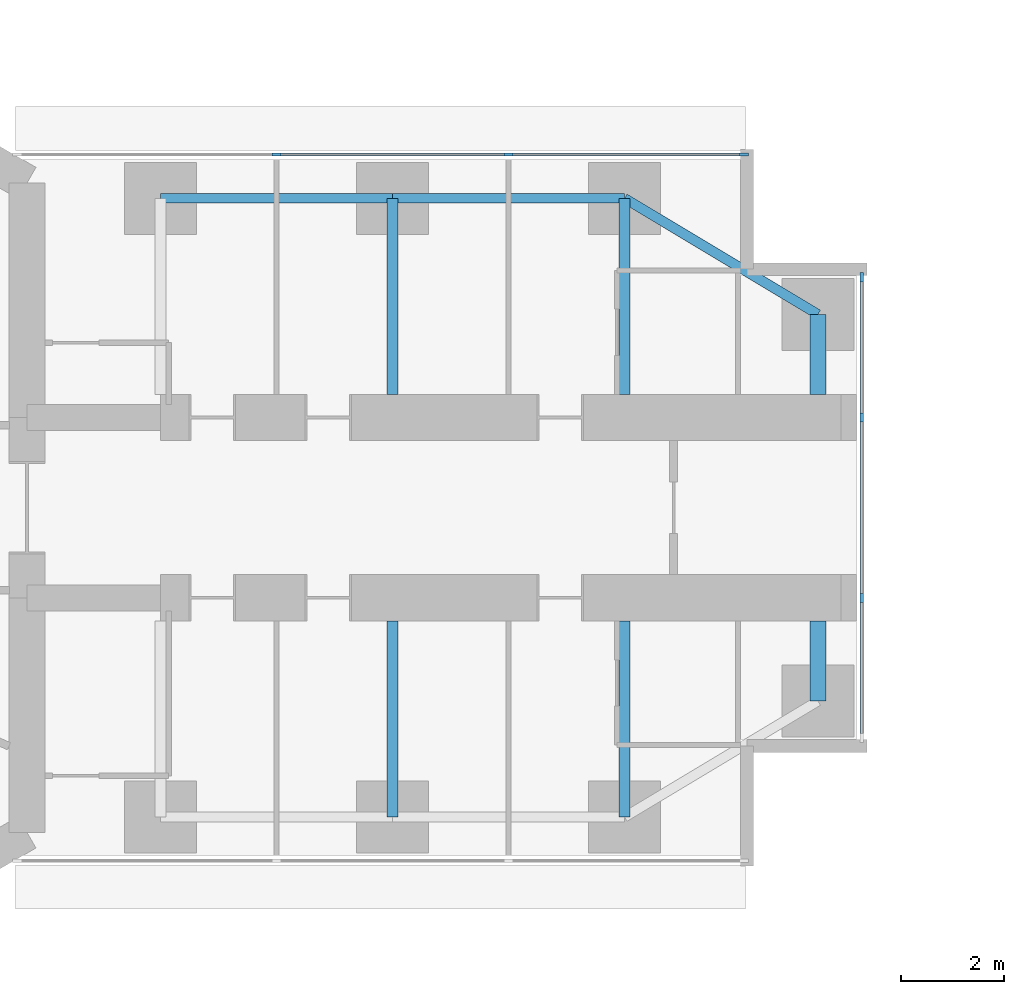
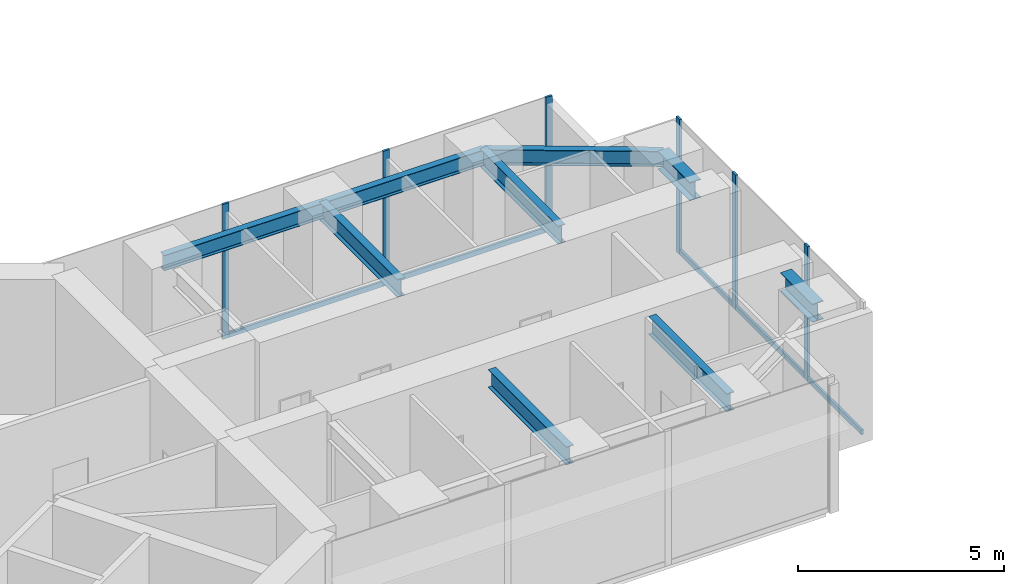
# One storey, part 8 of 25: 11 members, 9 beams, 2 elements without a shape of their own.
"""IFC4 building model written with IfcOpenShell, lengths in metres."""

from ifc_helpers import new_model, si_unit, direction, frame, origin, origin_2d, place, context, subcontext, project, spatial, rectangle, i_section, extrude, material, material_profile, profile_set, type_object, element, aggregate, save


model = new_model("IFC4")

# Units and contexts
model_context = context("Model", 3, precision=1e-05, world=origin(), true_north=direction((0.0, 1.0)))
body_context = subcontext(model_context, "Body", "Model", "MODEL_VIEW")
ifc_project = project(units=[si_unit("LENGTHUNIT", "METRE"), si_unit("AREAUNIT", "SQUARE_METRE"), si_unit("VOLUMEUNIT", "CUBIC_METRE"), si_unit("PLANEANGLEUNIT", "RADIAN"), si_unit("MASSUNIT", "GRAM", prefix="KILO")], contexts=[model_context])

# Site, building, storey
site_placement = place(None, origin())
site = spatial("IfcSite", under=ifc_project, at=site_placement, CompositionType="ELEMENT")
building_placement = place(site_placement, origin())
building = spatial("IfcBuilding", under=site, at=building_placement, Name="Upepo Twin Towers", CompositionType="ELEMENT")
storey_placement = place(building_placement, frame((0.0, 0.0, 76.5)))
storey = spatial("IfcBuildingStorey", under=building, at=storey_placement, Name="L18", CompositionType="ELEMENT", Elevation=76.5)

# Beams
ifc_material_1 = material(Name="Steel S355", Category="steel")
ifc_material_profile_1 = material_profile(ifc_material_1, i_section(OverallWidth=0.1904296875, OverallDepth=0.45703125, WebThickness=0.009033203125, FlangeThickness=0.014404296875, FilletRadius=0.01025390625, at=origin_2d()), Name="UB 457x191x74")
ifc_profile_set_1 = profile_set([ifc_material_profile_1], Name="Steel S355")
beam_type_1 = type_object("IfcBeamType", Name="Beam UB 457x191x74", PredefinedType="BEAM", material=ifc_profile_set_1)
for number, where, z_axis, x_axis, name in (
    (1, (13.5, 6.0, 3.571533203125), (1.0, 0.0, 0.0), (0.0, 1.0, 0.0), "T1 edge beam AL 13.5-18.0"),
    (2, (18.0, 6.0, 3.571533203125), (1.0, 0.0, 0.0), (0.0, 1.0, 0.0), "T1 edge beam AL 18.0-22.5"),
):
    element("IfcBeam", number, at=place(storey_placement, frame(where, z_axis=z_axis, x_axis=x_axis)), inside=storey, type_object=beam_type_1, Name=name, PredefinedType="BEAM", context=body_context, shape_type="SweptSolid", body=[
        extrude(i_section(OverallWidth=0.1904296875, OverallDepth=0.45703125, WebThickness=0.009033203125, FlangeThickness=0.014404296875, FilletRadius=0.01025390625, at=origin_2d()), origin(), (0.0, 0.0, 1.0), 4.5),
    ])
beam_placement = place(storey_placement, frame((22.5, 6.0, 3.571533203125), z_axis=(0.857492925713, -0.514495755428, 0.0), x_axis=(0.514495755428, 0.857492925713, 0.0)))
element("IfcBeam", 3, at=beam_placement, inside=storey, type_object=beam_type_1, Name="T1 nose edge beam AL", PredefinedType="BEAM", context=body_context, shape_type="SweptSolid", body=[
    extrude(i_section(OverallWidth=0.1904296875, OverallDepth=0.45703125, WebThickness=0.009033203125, FlangeThickness=0.014404296875, FilletRadius=0.01025390625, at=origin_2d()), origin(), (0.0, 0.0, 1.0), 4.373291015625),
])
ifc_material_2 = material(Name="Steel S355", Category="steel")
ifc_material_profile_2 = material_profile(ifc_material_2, i_section(OverallWidth=0.209228515625, OverallDepth=0.533203125, WebThickness=0.010009765625, FlangeThickness=0.015625, FilletRadius=0.0126953125, at=origin_2d()), Name="UB 533x210x92")
ifc_profile_set_2 = profile_set([ifc_material_profile_2], Name="Steel S355")
beam_type_2 = type_object("IfcBeamType", Name="Beam UB 533x210x92", PredefinedType="BEAM", material=ifc_profile_set_2)
for number, where, z_axis, x_axis, name in (
    (4, (18.0, 6.0, 3.533447265625), (0.0, -1.0, 0.0), (1.0, 0.0, 0.0), "T1 girder AL at 18.0"),
    (5, (22.5, 6.0, 3.533447265625), (0.0, -1.0, 0.0), (1.0, 0.0, 0.0), "T1 girder AL at 22.5"),
    (6, (18.0, -6.0, 3.533447265625), (0.0, 1.0, 0.0), (-1.0, 0.0, 0.0), "T1 girder AR at 18.0"),
    (7, (22.5, -6.0, 3.533447265625), (0.0, 1.0, 0.0), (-1.0, 0.0, 0.0), "T1 girder AR at 22.5"),
):
    element("IfcBeam", number, at=place(storey_placement, frame(where, z_axis=z_axis, x_axis=x_axis)), inside=storey, type_object=beam_type_2, Name=name, PredefinedType="BEAM", context=body_context, shape_type="SweptSolid", body=[
        extrude(i_section(OverallWidth=0.209228515625, OverallDepth=0.533203125, WebThickness=0.010009765625, FlangeThickness=0.015625, FilletRadius=0.0126953125, at=origin_2d()), origin(), (0.0, 0.0, 1.0), 3.800048828125),
    ])
ifc_material_3 = material(Name="Steel S355", Category="steel")
ifc_material_profile_3 = material_profile(ifc_material_3, i_section(OverallWidth=0.31201171875, OverallDepth=0.54345703125, WebThickness=0.0126953125, FlangeThickness=0.020263671875, FilletRadius=0.0126953125, at=origin_2d()), Name="UB 533x312x150")
ifc_profile_set_3 = profile_set([ifc_material_profile_3], Name="Steel S355")
beam_type_3 = type_object("IfcBeamType", Name="Beam UB 533x312x150", PredefinedType="BEAM", material=ifc_profile_set_3)
for number, where, z_axis, x_axis, name in (
    (8, (26.25, 3.75, 3.5283203125), (0.0, -1.0, 0.0), (1.0, 0.0, 0.0), "T1 nose beam AL"),
    (9, (26.25, -3.75, 3.5283203125), (0.0, 1.0, 0.0), (-1.0, 0.0, 0.0), "T1 nose beam AR"),
):
    element("IfcBeam", number, at=place(storey_placement, frame(where, z_axis=z_axis, x_axis=x_axis)), inside=storey, type_object=beam_type_3, Name=name, PredefinedType="BEAM", context=body_context, shape_type="SweptSolid", body=[
        extrude(i_section(OverallWidth=0.31201171875, OverallDepth=0.54345703125, WebThickness=0.0126953125, FlangeThickness=0.020263671875, FilletRadius=0.0126953125, at=origin_2d()), origin(), (0.0, 0.0, 1.0), 1.550048828125),
    ])

# Curtain wall, members
ifc_material_4 = material(Name="Aluminium and fritted glass", Category="aluminium")
curtain_wall_type = type_object("IfcCurtainWallType", Name="Tower curtain wall TW1, fritted glass", PredefinedType="NOTDEFINED", material=ifc_material_4)
curtain_wall_1_placement = place(storey_placement, origin())
curtain_wall_1 = element("IfcCurtainWall", 10, at=curtain_wall_1_placement, inside=storey, type_object=curtain_wall_type, Name="T1 L18 wing A flank L curtain wall", PredefinedType="NOTDEFINED")
ifc_material_5 = material(Name="Aluminium mullion", Category="aluminium")
ifc_material_profile_4 = material_profile(ifc_material_5, rectangle(XDim=0.06494140625, YDim=0.179931640625, at=origin_2d()), Name="MULLION 65x180")
ifc_profile_set_4 = profile_set([ifc_material_profile_4], Name="Aluminium mullion")
member_type_1 = type_object("IfcMemberType", Name="Mullion 65x180 TW1", PredefinedType="MULLION", material=ifc_profile_set_4)
member_1_placement = place(storey_placement, frame((15.75, 6.85009765625, 0.0), z_axis=(0.0, 0.0, 1.0), x_axis=(0.0, 1.0, 0.0)))
member_1 = element("IfcMember", 11, at=member_1_placement, type_object=member_type_1, Name="T1 L18 wing A flank L curtain wall mullion 2", PredefinedType="MULLION", context=body_context, shape_type="SweptSolid", body=[
    extrude(rectangle(XDim=0.06494140625, YDim=0.179931640625, at=origin_2d()), origin(), (0.0, 0.0, 1.0), 4.0),
])
member_2_placement = place(storey_placement, frame((20.25, 6.85009765625, 0.0), z_axis=(0.0, 0.0, 1.0), x_axis=(0.0, 1.0, 0.0)))
member_2 = element("IfcMember", 12, at=member_2_placement, type_object=member_type_1, Name="T1 L18 wing A flank L curtain wall mullion 3", PredefinedType="MULLION", context=body_context, shape_type="SweptSolid", body=[
    extrude(rectangle(XDim=0.06494140625, YDim=0.179931640625, at=origin_2d()), origin(), (0.0, 0.0, 1.0), 4.0),
])
member_3_placement = place(storey_placement, frame((24.8173828125, 6.85009765625, 0.0), z_axis=(0.0, 0.0, 1.0), x_axis=(0.0, 1.0, 0.0)))
member_3 = element("IfcMember", 13, at=member_3_placement, type_object=member_type_1, Name="T1 L18 wing A flank L curtain wall mullion 4", PredefinedType="MULLION", context=body_context, shape_type="SweptSolid", body=[
    extrude(rectangle(XDim=0.06494140625, YDim=0.179931640625, at=origin_2d()), origin(), (0.0, 0.0, 1.0), 4.0),
])

curtain_wall_2_placement = place(storey_placement, origin())
curtain_wall_2 = element("IfcCurtainWall", 14, at=curtain_wall_2_placement, inside=storey, type_object=curtain_wall_type, Name="T1 L18 wing A nose curtain wall", PredefinedType="NOTDEFINED")
member_4_placement = place(storey_placement, frame((27.10009765625, -1.75, 0.0), z_axis=(0.0, 0.0, 1.0), x_axis=(-1.0, 0.0, 0.0)))
member_4 = element("IfcMember", 15, at=member_4_placement, type_object=member_type_1, Name="T1 L18 wing A nose curtain wall mullion 2", PredefinedType="MULLION", context=body_context, shape_type="SweptSolid", body=[
    extrude(rectangle(XDim=0.06494140625, YDim=0.179931640625, at=origin_2d()), origin(), (0.0, 0.0, 1.0), 4.0),
])
member_5_placement = place(storey_placement, frame((27.10009765625, 1.75, 0.0), z_axis=(0.0, 0.0, 1.0), x_axis=(-1.0, 0.0, 0.0)))
member_5 = element("IfcMember", 16, at=member_5_placement, type_object=member_type_1, Name="T1 L18 wing A nose curtain wall mullion 3", PredefinedType="MULLION", context=body_context, shape_type="SweptSolid", body=[
    extrude(rectangle(XDim=0.06494140625, YDim=0.179931640625, at=origin_2d()), origin(), (0.0, 0.0, 1.0), 4.0),
])
member_6_placement = place(storey_placement, frame((27.10009765625, 4.467529296875, 0.0), z_axis=(0.0, 0.0, 1.0), x_axis=(-1.0, 0.0, 0.0)))
member_6 = element("IfcMember", 17, at=member_6_placement, type_object=member_type_1, Name="T1 L18 wing A nose curtain wall mullion 4", PredefinedType="MULLION", context=body_context, shape_type="SweptSolid", body=[
    extrude(rectangle(XDim=0.06494140625, YDim=0.179931640625, at=origin_2d()), origin(), (0.0, 0.0, 1.0), 4.0),
])

# Member
ifc_material_6 = material(Name="Aluminium transom", Category="aluminium")
ifc_material_profile_5 = material_profile(ifc_material_6, rectangle(XDim=0.06494140625, YDim=0.14990234375, at=origin_2d()), Name="TRANSOM 65x150")
ifc_profile_set_5 = profile_set([ifc_material_profile_5], Name="Aluminium transom")
member_type_2 = type_object("IfcMemberType", Name="Transom 65x150 TW1", PredefinedType="USERDEFINED", material=ifc_profile_set_5)
member_7_placement = place(storey_placement, frame((15.782470703125, 6.85009765625, 0.074951171875), z_axis=(1.0, 0.0, 0.0), x_axis=(0.0, 1.0, 0.0)))
member_7 = element("IfcMember", 18, at=member_7_placement, type_object=member_type_2, Name="T1 L18 wing A flank L curtain wall transom 2", ObjectType="TRANSOM", PredefinedType="USERDEFINED", context=body_context, shape_type="SweptSolid", body=[
    extrude(rectangle(XDim=0.06494140625, YDim=0.14990234375, at=origin_2d()), origin(), (0.0, 0.0, 1.0), 4.43505859375),
])

member_8_placement = place(storey_placement, frame((20.282470703125, 6.85009765625, 0.074951171875), z_axis=(1.0, 0.0, 0.0), x_axis=(0.0, 1.0, 0.0)))
member_8 = element("IfcMember", 19, at=member_8_placement, type_object=member_type_2, Name="T1 L18 wing A flank L curtain wall transom 3", ObjectType="TRANSOM", PredefinedType="USERDEFINED", context=body_context, shape_type="SweptSolid", body=[
    extrude(rectangle(XDim=0.06494140625, YDim=0.14990234375, at=origin_2d()), origin(), (0.0, 0.0, 1.0), 4.50244140625),
])

aggregate(curtain_wall_1, [member_1, member_2, member_3, member_7, member_8])

member_9_placement = place(storey_placement, frame((27.10009765625, -4.43505859375, 0.074951171875), z_axis=(0.0, 1.0, 0.0), x_axis=(-1.0, 0.0, 0.0)))
member_9 = element("IfcMember", 20, at=member_9_placement, type_object=member_type_2, Name="T1 L18 wing A nose curtain wall transom 1", ObjectType="TRANSOM", PredefinedType="USERDEFINED", context=body_context, shape_type="SweptSolid", body=[
    extrude(rectangle(XDim=0.06494140625, YDim=0.14990234375, at=origin_2d()), origin(), (0.0, 0.0, 1.0), 2.652587890625),
])

member_10_placement = place(storey_placement, frame((27.10009765625, -1.717529296875, 0.074951171875), z_axis=(0.0, 1.0, 0.0), x_axis=(-1.0, 0.0, 0.0)))
member_10 = element("IfcMember", 21, at=member_10_placement, type_object=member_type_2, Name="T1 L18 wing A nose curtain wall transom 2", ObjectType="TRANSOM", PredefinedType="USERDEFINED", context=body_context, shape_type="SweptSolid", body=[
    extrude(rectangle(XDim=0.06494140625, YDim=0.14990234375, at=origin_2d()), origin(), (0.0, 0.0, 1.0), 3.43505859375),
])

member_11_placement = place(storey_placement, frame((27.10009765625, 1.782470703125, 0.074951171875), z_axis=(0.0, 1.0, 0.0), x_axis=(-1.0, 0.0, 0.0)))
member_11 = element("IfcMember", 22, at=member_11_placement, type_object=member_type_2, Name="T1 L18 wing A nose curtain wall transom 3", ObjectType="TRANSOM", PredefinedType="USERDEFINED", context=body_context, shape_type="SweptSolid", body=[
    extrude(rectangle(XDim=0.06494140625, YDim=0.14990234375, at=origin_2d()), origin(), (0.0, 0.0, 1.0), 2.652587890625),
])

aggregate(curtain_wall_2, [member_4, member_5, member_6, member_9, member_10, member_11])

save(model, "model.ifc")
